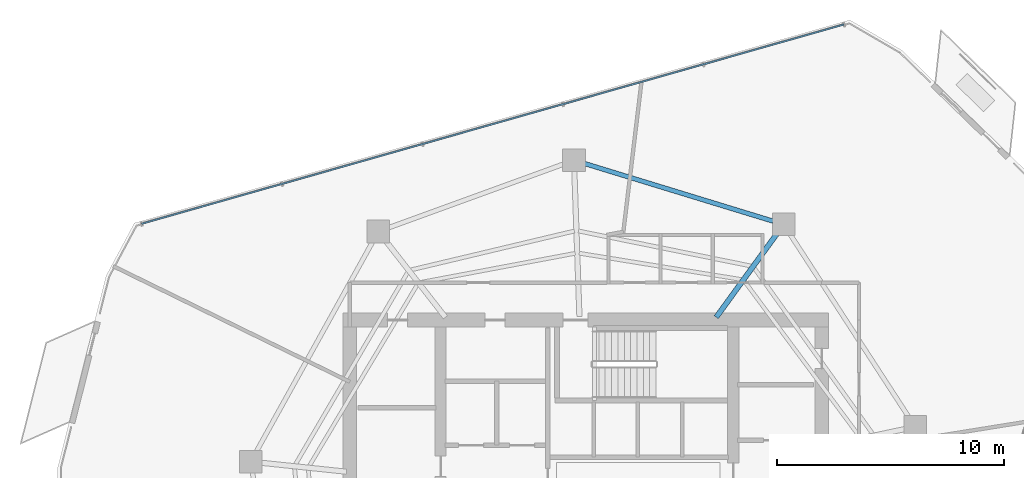
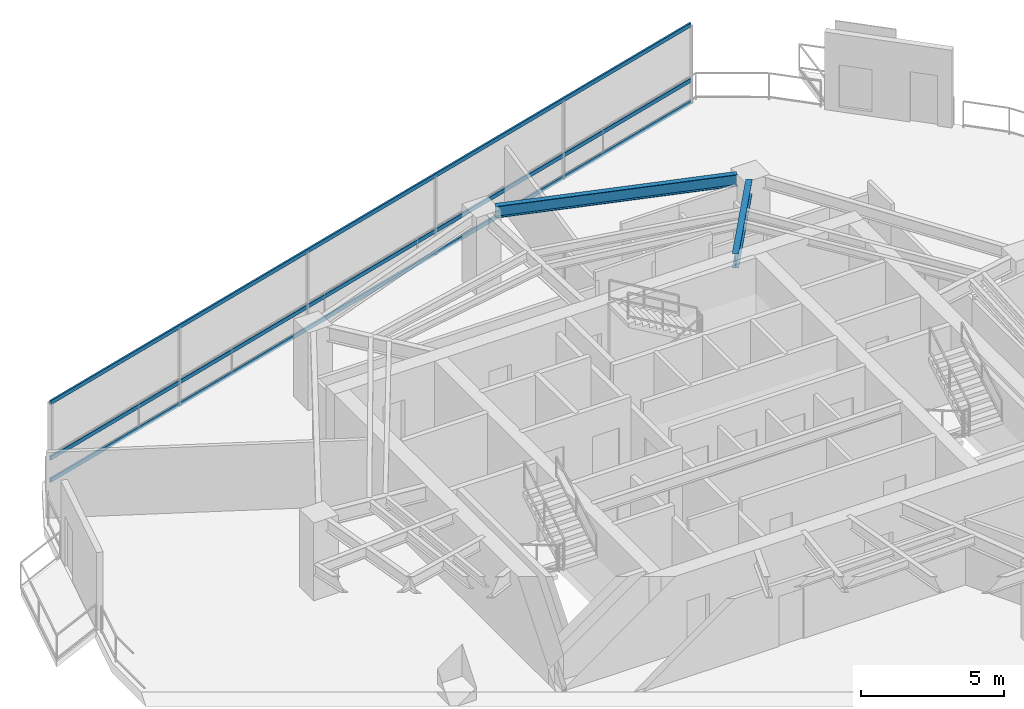
# One storey, part 11 of 19: 3 members, 2 beams, 1 element without a shape of its own.
"""IFC4 building model written with IfcOpenShell, lengths in metres."""

from ifc_helpers import new_model, si_unit, direction, frame, origin, origin_2d, place, context, subcontext, project, spatial, hollow_rectangle, i_section, extrude, material, layer, layer_set, material_profile, profile_set, type_object, element, aggregate, save


model = new_model("IFC4")

# Units and contexts
model_context = context("Model", 3, precision=1e-05, world=origin(), true_north=direction((0.0, 1.0)))
body_context = subcontext(model_context, "Body", "Model", "MODEL_VIEW")
ifc_project = project(units=[si_unit("LENGTHUNIT", "METRE"), si_unit("AREAUNIT", "SQUARE_METRE"), si_unit("VOLUMEUNIT", "CUBIC_METRE"), si_unit("PLANEANGLEUNIT", "RADIAN"), si_unit("MASSUNIT", "GRAM", prefix="KILO")], contexts=[model_context])

# Site, building, storey
site_placement = place(None, origin())
site = spatial("IfcSite", under=ifc_project, at=site_placement, CompositionType="ELEMENT")
building_placement = place(site_placement, origin())
building = spatial("IfcBuilding", under=site, at=building_placement, Name="Qarnah Convention Tower", CompositionType="ELEMENT")
storey_placement = place(building_placement, frame((0.0, 0.0, 125.699951171875)))
storey = spatial("IfcBuildingStorey", under=building, at=storey_placement, Name="L33", CompositionType="ELEMENT", Elevation=125.699951171875)

# Beams
ifc_material_1 = material(Name="Structural steel S355JR", Category="steel")
ifc_material_profile_1 = material_profile(ifc_material_1, i_section(OverallWidth=0.22998046875, OverallDepth=0.617919921875, WebThickness=0.012939453125, FlangeThickness=0.02197265625, at=origin_2d()), Name="W610X140")
ifc_profile_set_1 = profile_set([ifc_material_profile_1], Name="Structural steel S355JR")
beam_type_1 = type_object("IfcBeamType", Name="BM-RAD-W610A", PredefinedType="BEAM", material=ifc_profile_set_1)
beam_1_placement = place(storey_placement, frame((42.955078125, 34.321044921875, 3.010986328125), z_axis=(0.58781027487, 0.808998813817, 0.0), x_axis=(-0.808998813817, 0.58781027487, 0.0)))
element("IfcBeam", 1, at=beam_1_placement, inside=storey, type_object=beam_type_1, Name="L33 beam BM-L33-RAD-02", PredefinedType="BEAM", context=body_context, shape_type="SweptSolid", body=[
    extrude(i_section(OverallWidth=0.22998046875, OverallDepth=0.617919921875, WebThickness=0.012939453125, FlangeThickness=0.02197265625, at=origin_2d()), origin(), (0.0, 0.0, 1.0), 4.57958984375),
])
ifc_material_profile_2 = material_profile(ifc_material_1, i_section(OverallWidth=0.199951171875, OverallDepth=0.5, WebThickness=0.010009765625, FlangeThickness=0.01611328125, at=origin_2d()), Name="IPE500")
ifc_profile_set_2 = profile_set([ifc_material_profile_2], Name="Structural steel S355JR")
beam_type_2 = type_object("IfcBeamType", Name="BM-SPN-IPE500", PredefinedType="SPANDREL", material=ifc_profile_set_2)
beam_2_placement = place(storey_placement, frame((45.4599609375, 38.556884765625, 3.070068359375), z_axis=(-0.956283054976, 0.292442676035, 0.0), x_axis=(-0.292442676035, -0.956283054976, 0.0)))
element("IfcBeam", 2, at=beam_2_placement, inside=storey, type_object=beam_type_2, Name="L33 spandrel BM-L33-SPN-02", PredefinedType="SPANDREL", context=body_context, shape_type="SweptSolid", body=[
    extrude(i_section(OverallWidth=0.199951171875, OverallDepth=0.5, WebThickness=0.010009765625, FlangeThickness=0.01611328125, at=origin_2d()), origin(), (0.0, 0.0, 1.0), 8.68896484375),
])

# Curtain wall, members
ifc_material_2 = material(Name="Tempered Low-E dark glass", Category="glass")
ifc_layer = layer(ifc_material_2, 0.172119140625)
ifc_layer_set = layer_set([ifc_layer], Name="Tempered Low-E dark glass")
curtain_wall_type = type_object("IfcCurtainWallType", Name="CWS-03", PredefinedType="NOTDEFINED", material=ifc_layer_set)
curtain_wall_placement = place(storey_placement, origin())
curtain_wall = element("IfcCurtainWall", 3, at=curtain_wall_placement, inside=storey, type_object=curtain_wall_type, Name="L33 unitised curtain wall CW-L33-F4", PredefinedType="NOTDEFINED")
ifc_material_3 = material(Name="Black anodised aluminium", Category="aluminium")
ifc_material_profile_3 = material_profile(ifc_material_3, hollow_rectangle(XDim=0.070068359375, YDim=0.169921875, WallThickness=0.0048828125, at=origin_2d()), Name="TRN-70X170")
ifc_profile_set_3 = profile_set([ifc_material_profile_3], Name="Black anodised aluminium")
member_type = type_object("IfcMemberType", Name="TRN-T3", PredefinedType="USERDEFINED", material=ifc_profile_set_3)
member_1_placement = place(storey_placement, frame((17.618896484375, 38.44189453125, 0.0), z_axis=(0.962023698139, 0.272965939668, 0.0), x_axis=(-0.272965939668, 0.962023698139, 0.0)))
member_1 = element("IfcMember", 4, at=member_1_placement, type_object=member_type, Name="CW-L33-F4 transom 1", ObjectType="TRANSOM", PredefinedType="USERDEFINED", context=body_context, shape_type="SweptSolid", body=[
    extrude(hollow_rectangle(XDim=0.070068359375, YDim=0.169921875, WallThickness=0.0048828125, at=origin_2d()), origin(), (0.0, 0.0, 1.0), 32.19482421875),
])
member_2_placement = place(storey_placement, frame((17.618896484375, 38.44189453125, 0.949951171875), z_axis=(0.962023698139, 0.272965939668, 0.0), x_axis=(-0.272965939668, 0.962023698139, 0.0)))
member_2 = element("IfcMember", 5, at=member_2_placement, type_object=member_type, Name="CW-L33-F4 transom 2", ObjectType="TRANSOM", PredefinedType="USERDEFINED", context=body_context, shape_type="SweptSolid", body=[
    extrude(hollow_rectangle(XDim=0.070068359375, YDim=0.169921875, WallThickness=0.0048828125, at=origin_2d()), origin(), (0.0, 0.0, 1.0), 32.19482421875),
])
member_3_placement = place(storey_placement, frame((17.618896484375, 38.44189453125, 3.320068359375), z_axis=(0.962023698139, 0.272965939668, 0.0), x_axis=(-0.272965939668, 0.962023698139, 0.0)))
member_3 = element("IfcMember", 6, at=member_3_placement, type_object=member_type, Name="CW-L33-F4 transom 3", ObjectType="TRANSOM", PredefinedType="USERDEFINED", context=body_context, shape_type="SweptSolid", body=[
    extrude(hollow_rectangle(XDim=0.070068359375, YDim=0.169921875, WallThickness=0.0048828125, at=origin_2d()), origin(), (0.0, 0.0, 1.0), 32.19482421875),
])
aggregate(curtain_wall, [member_1, member_2, member_3])

save(model, "model.ifc")
